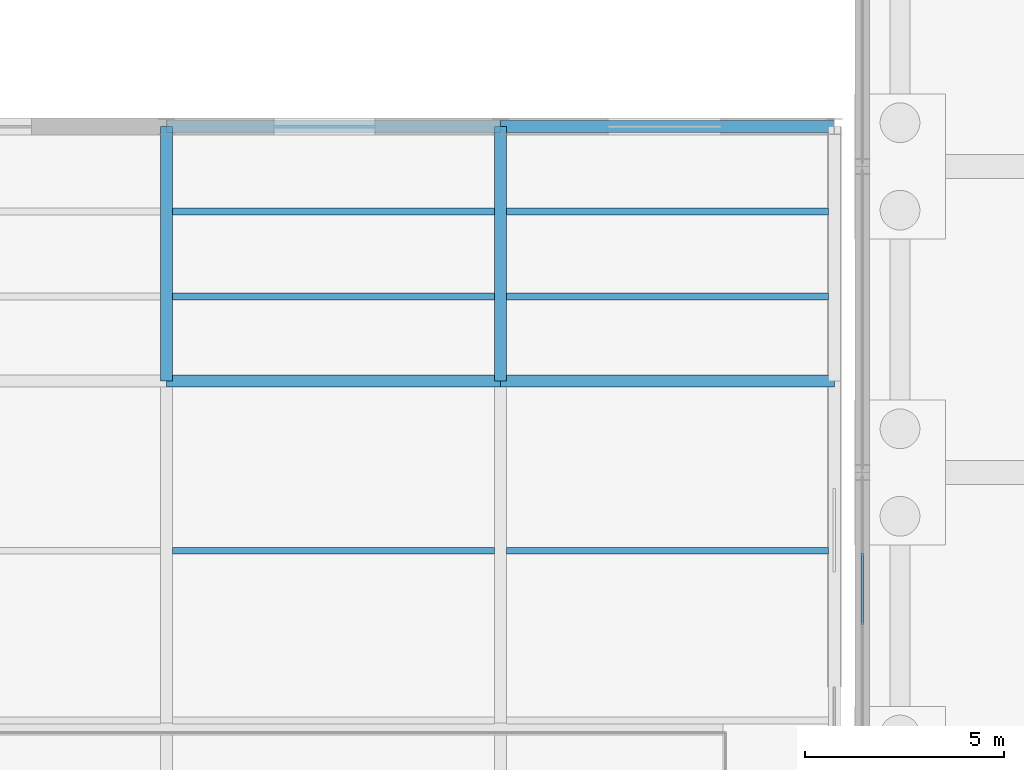
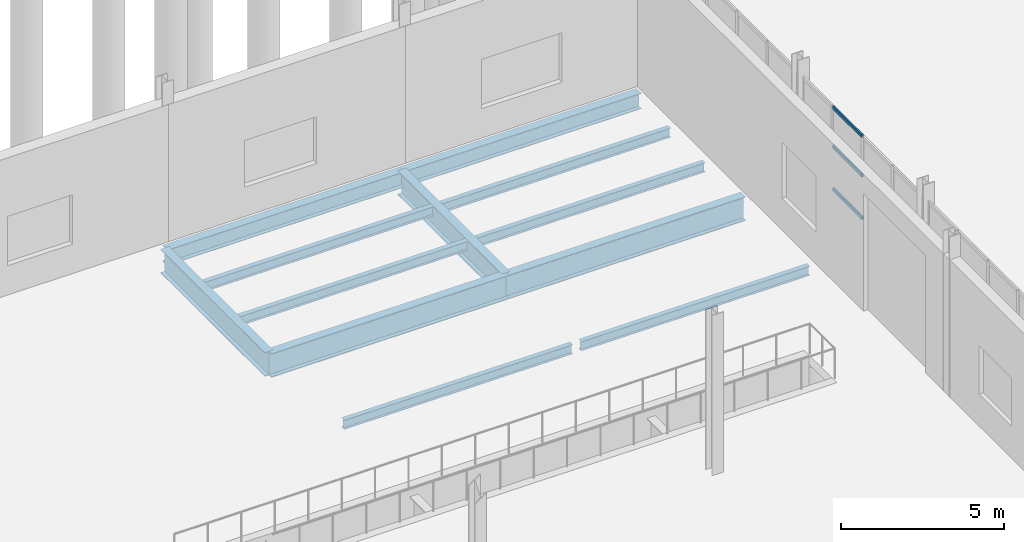
# One storey, part 79 of 139: 12 beams, 3 members, 1 element without a shape of its own.
"""IFC4 building model written with IfcOpenShell, lengths in metres."""

from ifc_helpers import new_model, si_unit, direction, frame, origin, origin_2d, place, context, subcontext, project, spatial, hollow_rectangle, i_section, extrude, material, material_profile, profile_set, type_object, element, aggregate, save


model = new_model("IFC4")

# Units and contexts
model_context = context("Model", 3, precision=1e-05, world=origin(), true_north=direction((0.0, 1.0)))
body_context = subcontext(model_context, "Body", "Model", "MODEL_VIEW")
ifc_project = project(units=[si_unit("LENGTHUNIT", "METRE"), si_unit("AREAUNIT", "SQUARE_METRE"), si_unit("VOLUMEUNIT", "CUBIC_METRE"), si_unit("PLANEANGLEUNIT", "RADIAN"), si_unit("MASSUNIT", "GRAM", prefix="KILO")], contexts=[model_context])

# Site, building, storey
site_placement = place(None, origin())
site = spatial("IfcSite", under=ifc_project, at=site_placement, CompositionType="ELEMENT")
building_placement = place(site_placement, origin())
building = spatial("IfcBuilding", under=site, at=building_placement, Name="Kazenagashi Tramway Depot", CompositionType="ELEMENT")
storey_placement = place(building_placement, origin())
storey = spatial("IfcBuildingStorey", under=building, at=storey_placement, Name="L01", CompositionType="ELEMENT", Elevation=0.0)

# Beams
ifc_material_1 = material(Name="Steel SN490B", Category="steel")
ifc_material_profile_1 = material_profile(ifc_material_1, i_section(OverallWidth=0.3, OverallDepth=0.9, WebThickness=0.016, FlangeThickness=0.028, at=origin_2d()), Name="H-900x300x16x28")
ifc_profile_set_1 = profile_set([ifc_material_profile_1], Name="Steel SN490B")
beam_type_1 = type_object("IfcBeamType", Name="G-01", PredefinedType="BEAM", material=ifc_profile_set_1)
for number, where, z_axis, x_axis, name in (
    (1, (128.8, 48.5, -0.8), (1.0, 0.0, 0.0), (0.0, 1.0, 0.0), "Beam G-01 BM-0787"),
    (2, (137.2, 48.5, -0.8), (1.0, 0.0, 0.0), (0.0, 1.0, 0.0), "Beam G-01 BM-0788"),
):
    element("IfcBeam", number, at=place(storey_placement, frame(where, z_axis=z_axis, x_axis=x_axis)), inside=storey, type_object=beam_type_1, Name=name, PredefinedType="BEAM", context=body_context, shape_type="SweptSolid", body=[
        extrude(i_section(OverallWidth=0.3, OverallDepth=0.9, WebThickness=0.016, FlangeThickness=0.028, at=origin_2d()), origin(), (0.0, 0.0, 1.0), 8.4),
    ])
for number, where, z_axis, x_axis, name in (
    (3, (128.8, 48.5, -0.8), (0.0, 1.0, 0.0), (-1.0, 0.0, 0.0), "Beam G-01 BM-0927"),
    (4, (137.2, 48.5, -0.8), (0.0, 1.0, 0.0), (-1.0, 0.0, 0.0), "Beam G-01 BM-0939"),
):
    element("IfcBeam", number, at=place(storey_placement, frame(where, z_axis=z_axis, x_axis=x_axis)), inside=storey, type_object=beam_type_1, Name=name, PredefinedType="BEAM", context=body_context, shape_type="SweptSolid", body=[
        extrude(i_section(OverallWidth=0.3, OverallDepth=0.9, WebThickness=0.016, FlangeThickness=0.028, at=origin_2d()), origin(), (0.0, 0.0, 1.0), 6.4),
    ])
ifc_material_2 = material(Name="Steel SN400B", Category="steel")
ifc_material_profile_2 = material_profile(ifc_material_2, i_section(OverallWidth=0.175, OverallDepth=0.35, WebThickness=0.007, FlangeThickness=0.011, at=origin_2d()), Name="H-350x175x7x11")
ifc_profile_set_2 = profile_set([ifc_material_profile_2], Name="Steel SN400B")
beam_type_2 = type_object("IfcBeamType", Name="J-01", PredefinedType="JOIST", material=ifc_profile_set_2)
for number, where, z_axis, x_axis, name in (
    (5, (128.95, 44.233, -0.525), (1.0, 0.0, 0.0), (0.0, 1.0, 0.0), "Beam J-01 BM-0926"),
    (6, (128.95, 50.633, -0.525), (1.0, 0.0, 0.0), (0.0, 1.0, 0.0), "Beam J-01 BM-0928"),
    (7, (128.95, 52.767, -0.525), (1.0, 0.0, 0.0), (0.0, 1.0, 0.0), "Beam J-01 BM-0929"),
    (8, (137.35, 44.233, -0.525), (1.0, 0.0, 0.0), (0.0, 1.0, 0.0), "Beam J-01 BM-0938"),
    (9, (137.35, 50.633, -0.525), (1.0, 0.0, 0.0), (0.0, 1.0, 0.0), "Beam J-01 BM-0940"),
    (10, (137.35, 52.767, -0.525), (1.0, 0.0, 0.0), (0.0, 1.0, 0.0), "Beam J-01 BM-0941"),
):
    element("IfcBeam", number, at=place(storey_placement, frame(where, z_axis=z_axis, x_axis=x_axis)), inside=storey, type_object=beam_type_2, Name=name, PredefinedType="JOIST", context=body_context, shape_type="SweptSolid", body=[
        extrude(i_section(OverallWidth=0.175, OverallDepth=0.35, WebThickness=0.007, FlangeThickness=0.011, at=origin_2d()), origin(), (0.0, 0.0, 1.0), 8.1),
    ])
ifc_material_profile_3 = material_profile(ifc_material_1, i_section(OverallWidth=0.3, OverallDepth=0.588, WebThickness=0.012, FlangeThickness=0.02, at=origin_2d()), Name="H-588x300x12x20")
ifc_profile_set_3 = profile_set([ifc_material_profile_3], Name="Steel SN490B")
beam_type_3 = type_object("IfcBeamType", Name="SP-01", PredefinedType="SPANDREL", material=ifc_profile_set_3)
for number, where, z_axis, x_axis, name in (
    (11, (128.8, 54.9, -0.644), (1.0, 0.0, 0.0), (0.0, 1.0, 0.0), "Beam SP-01 BM-0799"),
    (12, (137.2, 54.9, -0.644), (1.0, 0.0, 0.0), (0.0, 1.0, 0.0), "Beam SP-01 BM-0800"),
):
    element("IfcBeam", number, at=place(storey_placement, frame(where, z_axis=z_axis, x_axis=x_axis)), inside=storey, type_object=beam_type_3, Name=name, PredefinedType="SPANDREL", context=body_context, shape_type="SweptSolid", body=[
        extrude(i_section(OverallWidth=0.3, OverallDepth=0.588, WebThickness=0.012, FlangeThickness=0.02, at=origin_2d()), origin(), (0.0, 0.0, 1.0), 8.4),
    ])

# Curtain wall, members
ifc_material_3 = material(Name="Anodised Aluminium and Low-E Glazing", Category="aluminium")
curtain_wall_type = type_object("IfcCurtainWallType", Name="CW-30", PredefinedType="USERDEFINED", material=ifc_material_3)
curtain_wall_placement = place(storey_placement, origin())
curtain_wall = element("IfcCurtainWall", 13, at=curtain_wall_placement, inside=storey, type_object=curtain_wall_type, Name="Industrial Glazed Screen CW-30 CW-0166", ObjectType="GLAZED SCREEN", PredefinedType="USERDEFINED")
ifc_material_4 = material(Name="Anodised Aluminium", Category="aluminium")
ifc_material_profile_4 = material_profile(ifc_material_4, hollow_rectangle(XDim=0.06, YDim=0.12, WallThickness=0.004, at=origin_2d()), Name="RHS-120x60x4")
ifc_profile_set_4 = profile_set([ifc_material_profile_4], Name="Anodised Aluminium")
member_type = type_object("IfcMemberType", Name="TR-01", PredefinedType="USERDEFINED", material=ifc_profile_set_4)
member_1_placement = place(storey_placement, frame((146.3, 42.38, 2.23), z_axis=(0.0, 1.0, 0.0), x_axis=(-1.0, 0.0, 0.0)))
member_1 = element("IfcMember", 14, at=member_1_placement, type_object=member_type, Name="CW-30 transom 3.1", ObjectType="TRANSOM", PredefinedType="USERDEFINED", context=body_context, shape_type="SweptSolid", body=[
    extrude(hollow_rectangle(XDim=0.06, YDim=0.12, WallThickness=0.004, at=origin_2d()), origin(), (0.0, 0.0, 1.0), 1.795),
])
member_2_placement = place(storey_placement, frame((146.3, 42.38, 3.822), z_axis=(0.0, 1.0, 0.0), x_axis=(-1.0, 0.0, 0.0)))
member_2 = element("IfcMember", 15, at=member_2_placement, type_object=member_type, Name="CW-30 transom 3.2", ObjectType="TRANSOM", PredefinedType="USERDEFINED", context=body_context, shape_type="SweptSolid", body=[
    extrude(hollow_rectangle(XDim=0.06, YDim=0.12, WallThickness=0.004, at=origin_2d()), origin(), (0.0, 0.0, 1.0), 1.795),
])
member_3_placement = place(storey_placement, frame((146.3, 42.38, 5.29), z_axis=(0.0, 1.0, 0.0), x_axis=(-1.0, 0.0, 0.0)))
member_3 = element("IfcMember", 16, at=member_3_placement, type_object=member_type, Name="CW-30 transom 3.3", ObjectType="TRANSOM", PredefinedType="USERDEFINED", context=body_context, shape_type="SweptSolid", body=[
    extrude(hollow_rectangle(XDim=0.06, YDim=0.12, WallThickness=0.004, at=origin_2d()), origin(), (0.0, 0.0, 1.0), 1.795),
])
aggregate(curtain_wall, [member_1, member_2, member_3])

save(model, "model.ifc")
